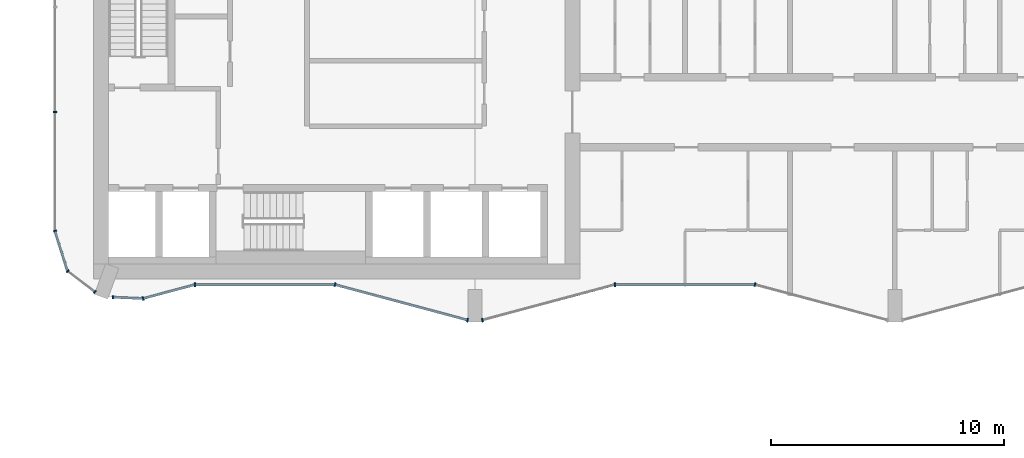
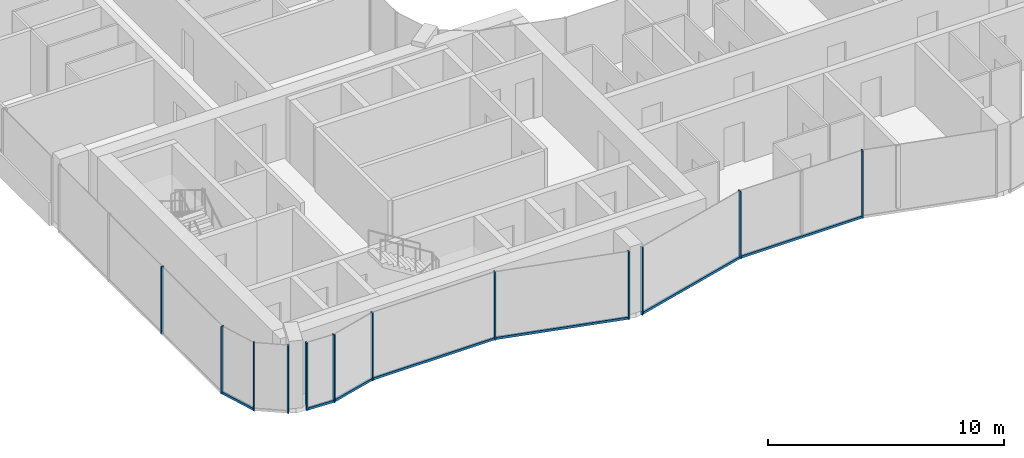
# One storey, part 2 of 22: 19 members, 10 elements without a shape of their own.
"""IFC4 building model written with IfcOpenShell, lengths in metres."""

from ifc_helpers import new_model, si_unit, direction, frame, origin, origin_2d, place, context, subcontext, project, spatial, rectangle, extrude, material, layer, layer_set, material_profile, profile_set, type_object, element, aggregate, save


model = new_model("IFC4")

# Units and contexts
model_context = context("Model", 3, precision=1e-05, world=origin(), true_north=direction((0.0, 1.0)))
body_context = subcontext(model_context, "Body", "Model", "MODEL_VIEW")
ifc_project = project(units=[si_unit("LENGTHUNIT", "METRE"), si_unit("AREAUNIT", "SQUARE_METRE"), si_unit("VOLUMEUNIT", "CUBIC_METRE"), si_unit("PLANEANGLEUNIT", "RADIAN"), si_unit("MASSUNIT", "GRAM", prefix="KILO")], contexts=[model_context])

# Site, building, storey
site_placement = place(None, origin())
site = spatial("IfcSite", under=ifc_project, at=site_placement, CompositionType="ELEMENT")
building_placement = place(site_placement, origin())
building = spatial("IfcBuilding", under=site, at=building_placement, Name="Plateau Cross Towers", CompositionType="ELEMENT")
storey_placement = place(building_placement, frame((0.0, 0.0, 99.300048828125)))
storey = spatial("IfcBuildingStorey", under=building, at=storey_placement, Name="L25", CompositionType="ELEMENT", Elevation=99.300048828125)

# Curtain wall, member
ifc_material_1 = material(Name="Dark low-iron glass", Category="glass")
ifc_layer_1 = layer(ifc_material_1, 0.239990234375)
ifc_layer_set_1 = layer_set([ifc_layer_1], Name="Dark low-iron glass")
curtain_wall_type_1 = type_object("IfcCurtainWallType", Name="Curtain wall flush unitised CW-B", PredefinedType="NOTDEFINED", material=ifc_layer_set_1)
curtain_wall_1_placement = place(storey_placement, origin())
curtain_wall_1 = element("IfcCurtainWall", 1, at=curtain_wall_1_placement, inside=storey, type_object=curtain_wall_type_1, Name="ENV/A/L25/A0_177", PredefinedType="NOTDEFINED")
ifc_material_2 = material(Name="Black anodised aluminium", Category="aluminium")
ifc_material_profile_1 = material_profile(ifc_material_2, rectangle(XDim=0.06005859375, YDim=0.139892578125, at=origin_2d()), Name="MULLION 60x140")
ifc_profile_set_1 = profile_set([ifc_material_profile_1], Name="Black anodised aluminium")
member_type_1 = type_object("IfcMemberType", Name="Mullion 60x140 flush unitised", PredefinedType="MULLION", material=ifc_profile_set_1)
member_1_placement = place(storey_placement, frame((0.0, 9.0, -0.25), z_axis=(0.0, 0.0, 1.0), x_axis=(0.0, -1.0, 0.0)))
member_1 = element("IfcMember", 2, at=member_1_placement, type_object=member_type_1, Name="CW-B mullion 3", PredefinedType="MULLION", context=body_context, shape_type="SweptSolid", body=[
    extrude(rectangle(XDim=0.06005859375, YDim=0.139892578125, at=origin_2d()), origin(), (0.0, 0.0, 1.0), 3.5),
])
aggregate(curtain_wall_1, [member_1])

curtain_wall_2_placement = place(storey_placement, origin())
curtain_wall_2 = element("IfcCurtainWall", 3, at=curtain_wall_2_placement, inside=storey, type_object=curtain_wall_type_1, Name="ENV/A/L25/A0_39", PredefinedType="NOTDEFINED")
member_2_placement = place(storey_placement, frame((0.0, 3.9091796875, -0.25), z_axis=(0.0, 0.0, 1.0), x_axis=(0.300686174994, -0.95372313811, 0.0)))
member_2 = element("IfcMember", 4, at=member_2_placement, type_object=member_type_1, Name="CW-B mullion 1", PredefinedType="MULLION", context=body_context, shape_type="SweptSolid", body=[
    extrude(rectangle(XDim=0.06005859375, YDim=0.139892578125, at=origin_2d()), origin(), (0.0, 0.0, 1.0), 3.5),
])

# Curtain wall, members
curtain_wall_3_placement = place(storey_placement, origin())
curtain_wall_3 = element("IfcCurtainWall", 5, at=curtain_wall_3_placement, inside=storey, type_object=curtain_wall_type_1, Name="ENV/A/L25/A5_22", PredefinedType="NOTDEFINED")
member_3_placement = place(storey_placement, frame((0.54248046875, 2.1884765625, -0.25), z_axis=(0.0, 0.0, 1.0), x_axis=(0.793315514529, -0.608810721331, 0.0)))
member_3 = element("IfcMember", 6, at=member_3_placement, type_object=member_type_1, Name="CW-B mullion 1", PredefinedType="MULLION", context=body_context, shape_type="SweptSolid", body=[
    extrude(rectangle(XDim=0.06005859375, YDim=0.139892578125, at=origin_2d()), origin(), (0.0, 0.0, 1.0), 3.5),
])
member_4_placement = place(storey_placement, frame((1.709716796875, 1.292724609375, -0.25), z_axis=(0.0, 0.0, 1.0), x_axis=(0.793315514529, -0.608810721331, 0.0)))
member_4 = element("IfcMember", 7, at=member_4_placement, type_object=member_type_1, Name="CW-B mullion 2", PredefinedType="MULLION", context=body_context, shape_type="SweptSolid", body=[
    extrude(rectangle(XDim=0.06005859375, YDim=0.139892578125, at=origin_2d()), origin(), (0.0, 0.0, 1.0), 3.5),
])
aggregate(curtain_wall_3, [member_3, member_4])

# Curtain wall, member
curtain_wall_4_placement = place(storey_placement, origin())
curtain_wall_4 = element("IfcCurtainWall", 8, at=curtain_wall_4_placement, inside=storey, type_object=curtain_wall_type_1, Name="ENV/A/L25/A25_11", PredefinedType="NOTDEFINED")
member_5_placement = place(storey_placement, frame((2.483642578125, 1.06787109375, -0.25), z_axis=(0.0, 0.0, 1.0), x_axis=(0.999043701491, -0.043722791671, 0.0)))
member_5 = element("IfcMember", 9, at=member_5_placement, type_object=member_type_1, Name="CW-B mullion 1", PredefinedType="MULLION", context=body_context, shape_type="SweptSolid", body=[
    extrude(rectangle(XDim=0.06005859375, YDim=0.139892578125, at=origin_2d()), origin(), (0.0, 0.0, 1.0), 3.5),
])

ifc_layer_2 = layer(ifc_material_1, 0.260009765625)
ifc_layer_set_2 = layer_set([ifc_layer_2], Name="Dark low-iron glass")
curtain_wall_type_2 = type_object("IfcCurtainWallType", Name="Curtain wall fluted unitised CW-A", PredefinedType="NOTDEFINED", material=ifc_layer_set_2)
curtain_wall_5_placement = place(storey_placement, origin())
curtain_wall_5 = element("IfcCurtainWall", 10, at=curtain_wall_5_placement, inside=storey, type_object=curtain_wall_type_2, Name="ENV/A/L25/A38_10", PredefinedType="NOTDEFINED")
ifc_material_profile_2 = material_profile(ifc_material_2, rectangle(XDim=0.06005859375, YDim=0.159912109375, at=origin_2d()), Name="MULLION 60x160")
ifc_profile_set_2 = profile_set([ifc_material_profile_2], Name="Black anodised aluminium")
member_type_2 = type_object("IfcMemberType", Name="Mullion 60x160 fluted unitised", PredefinedType="MULLION", material=ifc_profile_set_2)
member_6_placement = place(storey_placement, frame((3.776123046875, 1.01123046875, -0.25), z_axis=(0.0, 0.0, 1.0), x_axis=(0.965957962328, 0.258699081978, 0.0)))
member_6 = element("IfcMember", 11, at=member_6_placement, type_object=member_type_2, Name="CW-A mullion 1", PredefinedType="MULLION", context=body_context, shape_type="SweptSolid", body=[
    extrude(rectangle(XDim=0.06005859375, YDim=0.159912109375, at=origin_2d()), origin(), (0.0, 0.0, 1.0), 3.5),
])

curtain_wall_6_placement = place(storey_placement, origin())
curtain_wall_6 = element("IfcCurtainWall", 12, at=curtain_wall_6_placement, inside=storey, type_object=curtain_wall_type_2, Name="ENV/A/L25/A60_16", PredefinedType="NOTDEFINED")
member_7_placement = place(storey_placement, frame((6.0, 1.60693359375, -0.25), z_axis=(0.0, 0.0, 1.0), x_axis=(1.0, 0.0, 0.0)))
member_7 = element("IfcMember", 13, at=member_7_placement, type_object=member_type_2, Name="CW-A mullion 1", PredefinedType="MULLION", context=body_context, shape_type="SweptSolid", body=[
    extrude(rectangle(XDim=0.06005859375, YDim=0.159912109375, at=origin_2d()), origin(), (0.0, 0.0, 1.0), 3.5),
])

# Curtain wall, members
curtain_wall_7_placement = place(storey_placement, origin())
curtain_wall_7 = element("IfcCurtainWall", 14, at=curtain_wall_7_placement, inside=storey, type_object=curtain_wall_type_2, Name="ENV/A/L25/A120_16", PredefinedType="NOTDEFINED")
member_8_placement = place(storey_placement, frame((12.0, 1.60693359375, -0.25), z_axis=(0.0, 0.0, 1.0), x_axis=(0.965957983404, -0.258699003279, 0.0)))
member_8 = element("IfcMember", 15, at=member_8_placement, type_object=member_type_2, Name="CW-A mullion 1", PredefinedType="MULLION", context=body_context, shape_type="SweptSolid", body=[
    extrude(rectangle(XDim=0.06005859375, YDim=0.159912109375, at=origin_2d()), origin(), (0.0, 0.0, 1.0), 3.5),
])
member_9_placement = place(storey_placement, frame((17.68212890625, 0.085205078125, -0.25), z_axis=(0.0, 0.0, 1.0), x_axis=(0.965957983404, -0.258699003279, 0.0)))
member_9 = element("IfcMember", 16, at=member_9_placement, type_object=member_type_2, Name="CW-A mullion 2", PredefinedType="MULLION", context=body_context, shape_type="SweptSolid", body=[
    extrude(rectangle(XDim=0.06005859375, YDim=0.159912109375, at=origin_2d()), origin(), (0.0, 0.0, 1.0), 3.5),
])

# Curtain wall, member
curtain_wall_8_placement = place(storey_placement, origin())
curtain_wall_8 = element("IfcCurtainWall", 17, at=curtain_wall_8_placement, inside=storey, type_object=curtain_wall_type_2, Name="ENV/A/L25/A183_1", PredefinedType="NOTDEFINED")
member_10_placement = place(storey_placement, frame((18.31787109375, 0.085205078125, -0.25), z_axis=(0.0, 0.0, 1.0), x_axis=(0.965957983404, 0.258699003279, 0.0)))
member_10 = element("IfcMember", 18, at=member_10_placement, type_object=member_type_2, Name="CW-A mullion 1", PredefinedType="MULLION", context=body_context, shape_type="SweptSolid", body=[
    extrude(rectangle(XDim=0.06005859375, YDim=0.159912109375, at=origin_2d()), origin(), (0.0, 0.0, 1.0), 3.5),
])

curtain_wall_9_placement = place(storey_placement, origin())
curtain_wall_9 = element("IfcCurtainWall", 19, at=curtain_wall_9_placement, inside=storey, type_object=curtain_wall_type_2, Name="ENV/A/L25/A240_16", PredefinedType="NOTDEFINED")
member_11_placement = place(storey_placement, frame((24.0, 1.60693359375, -0.25), z_axis=(0.0, 0.0, 1.0), x_axis=(1.0, 0.0, 0.0)))
member_11 = element("IfcMember", 20, at=member_11_placement, type_object=member_type_2, Name="CW-A mullion 1", PredefinedType="MULLION", context=body_context, shape_type="SweptSolid", body=[
    extrude(rectangle(XDim=0.06005859375, YDim=0.159912109375, at=origin_2d()), origin(), (0.0, 0.0, 1.0), 3.5),
])

curtain_wall_10_placement = place(storey_placement, origin())
curtain_wall_10 = element("IfcCurtainWall", 21, at=curtain_wall_10_placement, inside=storey, type_object=curtain_wall_type_2, Name="ENV/A/L25/A300_16", PredefinedType="NOTDEFINED")
member_12_placement = place(storey_placement, frame((30.0, 1.60693359375, -0.25), z_axis=(0.0, 0.0, 1.0), x_axis=(0.965957983404, -0.258699003279, 0.0)))
member_12 = element("IfcMember", 22, at=member_12_placement, type_object=member_type_2, Name="CW-A mullion 1", PredefinedType="MULLION", context=body_context, shape_type="SweptSolid", body=[
    extrude(rectangle(XDim=0.06005859375, YDim=0.159912109375, at=origin_2d()), origin(), (0.0, 0.0, 1.0), 3.5),
])
aggregate(curtain_wall_10, [member_12])

# Member
ifc_material_profile_3 = material_profile(ifc_material_2, rectangle(XDim=0.10009765625, YDim=0.1201171875, at=origin_2d()), Name="TRANSOM 100x120")
ifc_profile_set_3 = profile_set([ifc_material_profile_3], Name="Black anodised aluminium")
member_type_3 = type_object("IfcMemberType", Name="Transom 100x120 flush unitised", PredefinedType="USERDEFINED", material=ifc_profile_set_3)
member_13_placement = place(storey_placement, frame((0.0, 3.9091796875, -0.18994140625), z_axis=(0.30067799945, -0.953725715626, 0.0), x_axis=(0.953725715626, 0.30067799945, 0.0)))
member_13 = element("IfcMember", 23, at=member_13_placement, type_object=member_type_3, Name="CW-B transom", ObjectType="TRANSOM", PredefinedType="USERDEFINED", context=body_context, shape_type="SweptSolid", body=[
    extrude(rectangle(XDim=0.10009765625, YDim=0.1201171875, at=origin_2d()), origin(), (0.0, 0.0, 1.0), 1.80419921875),
])

aggregate(curtain_wall_2, [member_2, member_13])

member_14_placement = place(storey_placement, frame((2.483642578125, 1.06787109375, -0.18994140625), z_axis=(0.999041144614, -0.043781175963, 0.0), x_axis=(0.043781175963, 0.999041144614, 0.0)))
member_14 = element("IfcMember", 24, at=member_14_placement, type_object=member_type_3, Name="CW-B transom", ObjectType="TRANSOM", PredefinedType="USERDEFINED", context=body_context, shape_type="SweptSolid", body=[
    extrude(rectangle(XDim=0.10009765625, YDim=0.1201171875, at=origin_2d()), origin(), (0.0, 0.0, 1.0), 1.293701171875),
])

aggregate(curtain_wall_4, [member_5, member_14])

ifc_material_profile_4 = material_profile(ifc_material_2, rectangle(XDim=0.10009765625, YDim=0.1201171875, at=origin_2d()), Name="TRANSOM 100x120")
ifc_profile_set_4 = profile_set([ifc_material_profile_4], Name="Black anodised aluminium")
member_type_4 = type_object("IfcMemberType", Name="Transom 100x120 fluted unitised", PredefinedType="USERDEFINED", material=ifc_profile_set_4)
member_15_placement = place(storey_placement, frame((3.776123046875, 1.01123046875, -0.18994140625), z_axis=(0.965945685136, 0.258744919501, 0.0), x_axis=(-0.258744919501, 0.965945685136, 0.0)))
member_15 = element("IfcMember", 25, at=member_15_placement, type_object=member_type_4, Name="CW-A transom", ObjectType="TRANSOM", PredefinedType="USERDEFINED", context=body_context, shape_type="SweptSolid", body=[
    extrude(rectangle(XDim=0.10009765625, YDim=0.1201171875, at=origin_2d()), origin(), (0.0, 0.0, 1.0), 2.30224609375),
])

aggregate(curtain_wall_5, [member_6, member_15])

member_16_placement = place(storey_placement, frame((6.0, 1.60693359375, -0.18994140625), z_axis=(1.0, 0.0, 0.0), x_axis=(0.0, 1.0, 0.0)))
member_16 = element("IfcMember", 26, at=member_16_placement, type_object=member_type_4, Name="CW-A transom", ObjectType="TRANSOM", PredefinedType="USERDEFINED", context=body_context, shape_type="SweptSolid", body=[
    extrude(rectangle(XDim=0.10009765625, YDim=0.1201171875, at=origin_2d()), origin(), (0.0, 0.0, 1.0), 6.0),
])

aggregate(curtain_wall_6, [member_7, member_16])

member_17_placement = place(storey_placement, frame((12.0, 1.60693359375, -0.18994140625), z_axis=(0.965959534794, -0.258693210465, 0.0), x_axis=(0.258693210465, 0.965959534794, 0.0)))
member_17 = element("IfcMember", 27, at=member_17_placement, type_object=member_type_4, Name="CW-A transom", ObjectType="TRANSOM", PredefinedType="USERDEFINED", context=body_context, shape_type="SweptSolid", body=[
    extrude(rectangle(XDim=0.10009765625, YDim=0.1201171875, at=origin_2d()), origin(), (0.0, 0.0, 1.0), 5.88232421875),
])

aggregate(curtain_wall_7, [member_8, member_9, member_17])

member_18_placement = place(storey_placement, frame((18.31787109375, 0.085205078125, -0.18994140625), z_axis=(0.965959534794, 0.258693210465, 0.0), x_axis=(-0.258693210465, 0.965959534794, 0.0)))
member_18 = element("IfcMember", 28, at=member_18_placement, type_object=member_type_4, Name="CW-A transom", ObjectType="TRANSOM", PredefinedType="USERDEFINED", context=body_context, shape_type="SweptSolid", body=[
    extrude(rectangle(XDim=0.10009765625, YDim=0.1201171875, at=origin_2d()), origin(), (0.0, 0.0, 1.0), 5.88232421875),
])

aggregate(curtain_wall_8, [member_10, member_18])

member_19_placement = place(storey_placement, frame((24.0, 1.60693359375, -0.18994140625), z_axis=(1.0, 0.0, 0.0), x_axis=(0.0, 1.0, 0.0)))
member_19 = element("IfcMember", 29, at=member_19_placement, type_object=member_type_4, Name="CW-A transom", ObjectType="TRANSOM", PredefinedType="USERDEFINED", context=body_context, shape_type="SweptSolid", body=[
    extrude(rectangle(XDim=0.10009765625, YDim=0.1201171875, at=origin_2d()), origin(), (0.0, 0.0, 1.0), 6.0),
])

aggregate(curtain_wall_9, [member_11, member_19])

save(model, "model.ifc")
